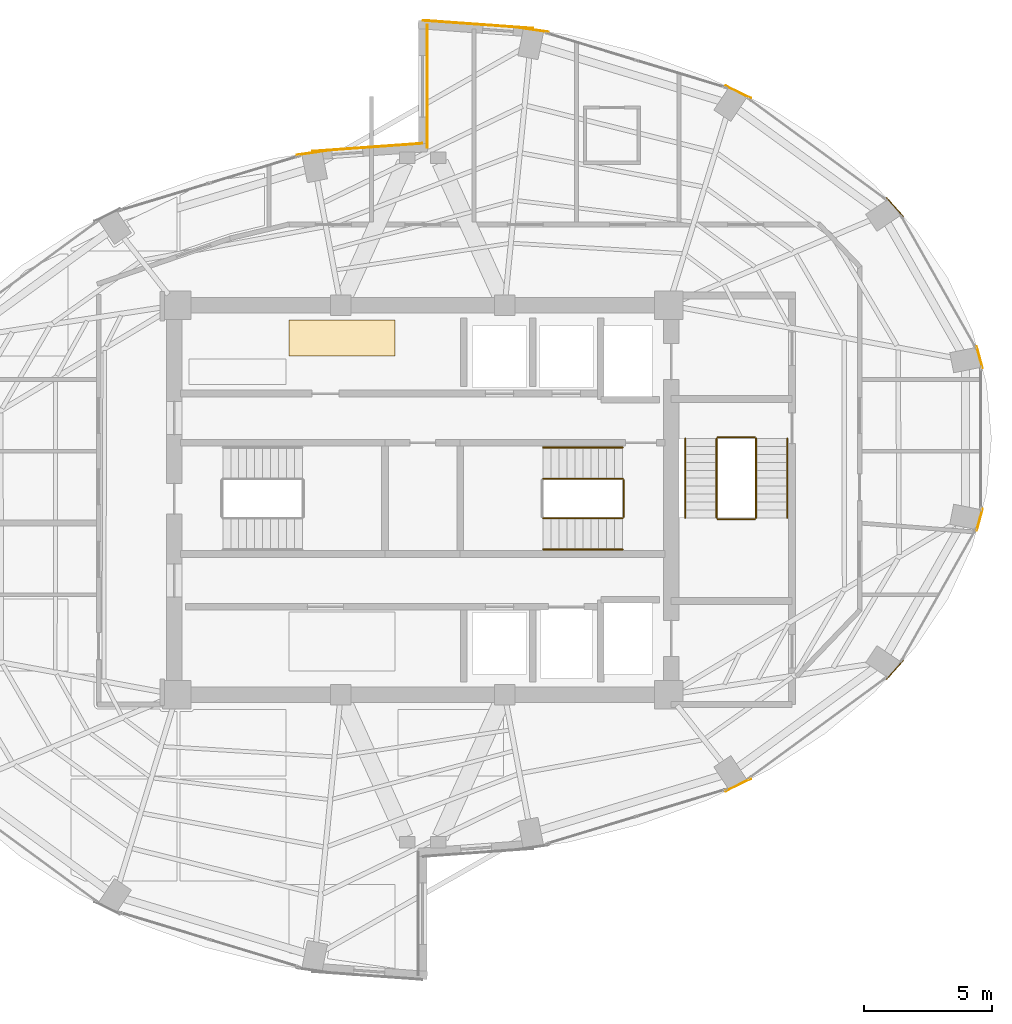
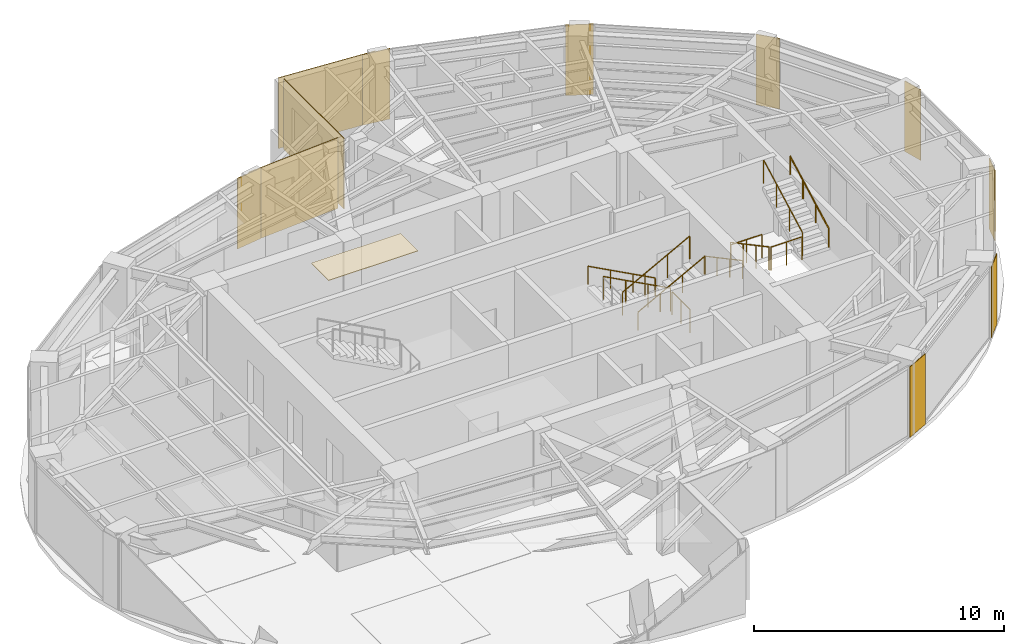
# One storey, part 23 of 23: 12 coverings, 11 railings.
"""IFC4 building model written with IfcOpenShell, lengths in metres."""

from ifc_helpers import new_model, si_unit, direction, frame, origin, origin_2d, place, context, subcontext, project, spatial, polyline, rectangle, circle, outline, extrude, material, layer, layer_set, type_object, element, save


model = new_model("IFC4")

# Units and contexts
model_context = context("Model", 3, precision=1e-05, world=origin(), true_north=direction((0.0, 1.0)))
body_context = subcontext(model_context, "Body", "Model", "MODEL_VIEW")
ifc_project = project(units=[si_unit("LENGTHUNIT", "METRE"), si_unit("AREAUNIT", "SQUARE_METRE"), si_unit("VOLUMEUNIT", "CUBIC_METRE"), si_unit("PLANEANGLEUNIT", "RADIAN"), si_unit("MASSUNIT", "GRAM", prefix="KILO")], contexts=[model_context])

# Site, building, storey
site_placement = place(None, origin())
site = spatial("IfcSite", under=ifc_project, at=site_placement, CompositionType="ELEMENT")
building_placement = place(site_placement, origin())
building = spatial("IfcBuilding", under=site, at=building_placement, Name="Lazwardi Medical Tower", CompositionType="ELEMENT")
storey_placement = place(building_placement, frame((0.0, 0.0, 198.47998046875)))
storey = spatial("IfcBuildingStorey", under=building, at=storey_placement, Name="L51", CompositionType="ELEMENT", Elevation=198.47998046875)

# Coverings
ifc_material_1 = material(Name="Anodised bronze aluminium cassette cladding", Category="aluminium")
ifc_layer_1 = layer(ifc_material_1, 0.030029296875)
ifc_layer_set_1 = layer_set([ifc_layer_1], Name="Anodised bronze aluminium cassette cladding")
covering_type_1 = type_object("IfcCoveringType", Name="COV-CLD-BRZ", PredefinedType="CLADDING", material=ifc_layer_set_1)
covering_1_placement = place(storey_placement, frame((48.311279296875, 16.878662109375, 0.0), z_axis=(0.0, 0.0, 1.0), x_axis=(0.897840141691, 0.440321564278, 0.0)))
element("IfcCovering", 1, at=covering_1_placement, inside=storey, type_object=covering_type_1, Name="L51 Mega-column bronze cassette cover M02", PredefinedType="CLADDING", context=body_context, shape_type="SweptSolid", body=[
    extrude(rectangle(XDim=1.110595703125, YDim=0.030029296875, at=origin_2d()), origin(), (0.0, 0.0, 1.0), 3.447998046875),
])
covering_2_placement = place(storey_placement, frame((54.42529296875, 21.365234375, 0.0), z_axis=(0.0, 0.0, 1.0), x_axis=(0.673240970654, 0.739423150458, 0.0)))
element("IfcCovering", 2, at=covering_2_placement, inside=storey, type_object=covering_type_1, Name="L51 Mega-column bronze cassette cover M03", PredefinedType="CLADDING", context=body_context, shape_type="SweptSolid", body=[
    extrude(rectangle(XDim=0.98974609375, YDim=0.030029296875, at=origin_2d()), origin(), (0.0, 0.0, 1.0), 3.447998046875),
])
for number, where, z_axis, x_axis, name in (
    (3, (57.734130859375, 27.227294921875, 0.0), (0.0, 0.0, 1.0), (0.261641748247, 0.96516506131, 0.0), "L51 Mega-column bronze cassette cover M04"),
    (4, (57.734130859375, 33.572509765625, 0.0), (0.0, 0.0, 1.0), (-0.261641748247, 0.96516506131, 0.0), "L51 Mega-column bronze cassette cover M05"),
):
    element("IfcCovering", number, at=place(storey_placement, frame(where, z_axis=z_axis, x_axis=x_axis)), inside=storey, type_object=covering_type_1, Name=name, PredefinedType="CLADDING", context=body_context, shape_type="SweptSolid", body=[
        extrude(rectangle(XDim=0.894287109375, YDim=0.030029296875, at=origin_2d()), origin(), (0.0, 0.0, 1.0), 3.447998046875),
    ])
covering_3_placement = place(storey_placement, frame((54.42529296875, 39.434814453125, 0.0), z_axis=(0.0, 0.0, 1.0), x_axis=(-0.673240970654, 0.739423150458, 0.0)))
element("IfcCovering", 5, at=covering_3_placement, inside=storey, type_object=covering_type_1, Name="L51 Mega-column bronze cassette cover M06", PredefinedType="CLADDING", context=body_context, shape_type="SweptSolid", body=[
    extrude(rectangle(XDim=0.98974609375, YDim=0.030029296875, at=origin_2d()), origin(), (0.0, 0.0, 1.0), 3.447998046875),
])
covering_4_placement = place(storey_placement, frame((48.311279296875, 43.92138671875, 0.0), z_axis=(0.0, 0.0, 1.0), x_axis=(-0.897840141691, 0.440321564278, 0.0)))
element("IfcCovering", 6, at=covering_4_placement, inside=storey, type_object=covering_type_1, Name="L51 Mega-column bronze cassette cover M07", PredefinedType="CLADDING", context=body_context, shape_type="SweptSolid", body=[
    extrude(rectangle(XDim=1.110595703125, YDim=0.030029296875, at=origin_2d()), origin(), (0.0, 0.0, 1.0), 3.447998046875),
])
for number, where, z_axis, x_axis, name in (
    (7, (40.3232421875, 46.349609375, 0.0), (0.0, 0.0, 1.0), (-0.989512431533, 0.144447733943, 0.0), "L51 Mega-column bronze cassette cover M08"),
    (8, (31.6767578125, 41.549560546875, 0.0), (0.0, 0.0, 1.0), (-0.989512431533, -0.144447733943, 0.0), "L51 Mega-column bronze cassette cover M09"),
):
    element("IfcCovering", number, at=place(storey_placement, frame(where, z_axis=z_axis, x_axis=x_axis)), inside=storey, type_object=covering_type_1, Name=name, PredefinedType="CLADDING", context=body_context, shape_type="SweptSolid", body=[
        extrude(rectangle(XDim=1.188720703125, YDim=0.030029296875, at=origin_2d()), origin(), (0.0, 0.0, 1.0), 3.447998046875),
    ])
ifc_material_2 = material(Name="Turquoise glazed ceramic tilework cladding", Category="masonry")
ifc_layer_2 = layer(ifc_material_2, 0.034912109375)
ifc_layer_set_2 = layer_set([ifc_layer_2], Name="Turquoise glazed ceramic tilework cladding")
covering_type_2 = type_object("IfcCoveringType", Name="COV-CLD-TRQ", PredefinedType="CLADDING", material=ifc_layer_set_2)
covering_5_placement = place(storey_placement, frame((38.16259765625, 46.56005859375, 0.0), z_axis=(0.0, 0.0, 1.0), x_axis=(-0.997409491337, 0.071932653157, 0.0)))
element("IfcCovering", 9, at=covering_5_placement, inside=storey, type_object=covering_type_2, Name="L51 Turquoise glazed ceramic tilework cladding", PredefinedType="CLADDING", context=body_context, shape_type="SweptSolid", body=[
    extrude(rectangle(XDim=4.31103515625, YDim=0.034912109375, at=origin_2d()), origin(), (0.0, 0.0, 1.0), 3.447998046875),
])
covering_6_placement = place(storey_placement, frame((33.83740234375, 41.760009765625, 0.0), z_axis=(0.0, 0.0, 1.0), x_axis=(-0.997408989128, -0.071939616387, 0.0)))
element("IfcCovering", 10, at=covering_6_placement, inside=storey, type_object=covering_type_2, Name="L51 Turquoise glazed ceramic tilework cladding", PredefinedType="CLADDING", context=body_context, shape_type="SweptSolid", body=[
    extrude(rectangle(XDim=4.310546875, YDim=0.034912109375, at=origin_2d()), origin(), (0.0, 0.0, 1.0), 3.447998046875),
])
covering_7_placement = place(storey_placement, frame((36.175537109375, 44.139892578125, 0.0), z_axis=(0.0, 0.0, 1.0), x_axis=(0.0, -1.0, 0.0)))
element("IfcCovering", 11, at=covering_7_placement, inside=storey, type_object=covering_type_2, Name="L51 Turquoise glazed ceramic tilework iwan panel", PredefinedType="CLADDING", context=body_context, shape_type="SweptSolid", body=[
    extrude(rectangle(XDim=4.800048828125, YDim=0.034912109375, at=origin_2d()), origin(), (0.0, 0.0, 1.0), 3.447998046875),
])
ifc_material_3 = material(Name="Acoustic mineral fibre tile")
ifc_layer_3 = layer(ifc_material_3, 0.02490234375)
ifc_layer_set_3 = layer_set([ifc_layer_3], Name="Acoustic mineral fibre tile")
covering_type_3 = type_object("IfcCoveringType", Name="COV-CLG-01", PredefinedType="CEILING", material=ifc_layer_set_3)
covering_8_placement = place(storey_placement, frame((0.0, 0.0, 3.302978515625)))
element("IfcCovering", 12, at=covering_8_placement, inside=storey, type_object=covering_type_3, Name="L51 Clinical Acoustic Ceiling 9", PredefinedType="CEILING", context=body_context, shape_type="SweptSolid", body=[
    extrude(outline(polyline([(34.912841796875, 35.02001953125), (30.782958984375, 35.02001953125), (30.782958984375, 33.62255859375), (34.912841796875, 33.62255859375), (34.912841796875, 35.02001953125)])), origin(), (0.0, 0.0, 1.0), 0.025146484375),
])

# Railings
ifc_material_4 = material(Name="Stainless steel Grade 316", Category="steel")
railing_type_1 = type_object("IfcRailingType", Name="RLG-GRD-1150", PredefinedType="GUARDRAIL", material=ifc_material_4)
railing_1_placement = place(storey_placement, frame((43.800048828125, 28.830078125, 0.165771484375)))
element("IfcRailing", 13, at=railing_1_placement, inside=storey, type_object=railing_type_1, Name="L51 ST2 stair guard 1", PredefinedType="GUARDRAIL", context=body_context, shape_type="SweptSolid", body=[
    extrude(circle(Radius=0.02392578125, at=origin_2d()), frame((0.0, 0.0, 1.1259765625), z_axis=(-0.881783298633, 0.0, 0.471654761719), x_axis=(0.0, -1.0, 0.0)), (0.0, 0.0, 1.0), 3.515625),
    extrude(circle(Radius=0.02099609375, at=origin_2d()), origin(), (0.0, 0.0, 1.0), 1.099853515625),
    extrude(circle(Radius=0.02099609375, at=origin_2d()), frame((-1.033447265625, 0.0, 0.552734375)), (0.0, 0.0, 1.0), 1.099853515625),
    extrude(circle(Radius=0.02099609375, at=origin_2d()), frame((-2.066650390625, 0.0, 1.10546875)), (0.0, 0.0, 1.0), 1.099853515625),
    extrude(circle(Radius=0.02099609375, at=origin_2d()), frame((-3.10009765625, 0.0, 1.658203125)), (0.0, 0.0, 1.0), 1.099853515625),
])
railing_2_placement = place(storey_placement, frame((40.699951171875, 27.2900390625, 1.98974609375)))
element("IfcRailing", 14, at=railing_2_placement, inside=storey, type_object=railing_type_1, Name="L51 ST2 stair guard 3", PredefinedType="GUARDRAIL", context=body_context, shape_type="SweptSolid", body=[
    extrude(circle(Radius=0.02392578125, at=origin_2d()), frame((0.0, 0.0, 1.1259765625), z_axis=(0.881783298633, 0.0, 0.471654761719), x_axis=(0.0, 1.0, 0.0)), (0.0, 0.0, 1.0), 3.515625),
    extrude(circle(Radius=0.02099609375, at=origin_2d()), origin(), (0.0, 0.0, 1.0), 1.099853515625),
    extrude(circle(Radius=0.02099609375, at=origin_2d()), frame((1.033447265625, 0.0, 0.552734375)), (0.0, 0.0, 1.0), 1.099853515625),
    extrude(circle(Radius=0.02099609375, at=origin_2d()), frame((2.066650390625, 0.0, 1.10546875)), (0.0, 0.0, 1.0), 1.099853515625),
    extrude(circle(Radius=0.02099609375, at=origin_2d()), frame((3.10009765625, 0.0, 1.658203125)), (0.0, 0.0, 1.0), 1.099853515625),
])
railing_3_placement = place(storey_placement, frame((43.85009765625, 28.780029296875, 0.0)))
element("IfcRailing", 15, at=railing_3_placement, inside=storey, type_object=railing_type_1, Name="L51 ST2 stair guard 4", PredefinedType="GUARDRAIL", context=body_context, shape_type="SweptSolid", body=[
    extrude(circle(Radius=0.02392578125, at=origin_2d()), frame((0.0, 0.0, 1.1259765625), z_axis=(0.0, -1.0, 0.0), x_axis=(1.0, 0.0, 0.0)), (0.0, 0.0, 1.0), 1.43994140625),
    extrude(circle(Radius=0.02099609375, at=origin_2d()), origin(), (0.0, 0.0, 1.0), 1.099853515625),
    extrude(circle(Radius=0.02099609375, at=origin_2d()), frame((0.0, -0.719970703125, 0.0)), (0.0, 0.0, 1.0), 1.099853515625),
    extrude(circle(Radius=0.02099609375, at=origin_2d()), frame((0.0, -1.43994140625, 0.0)), (0.0, 0.0, 1.0), 1.099853515625),
])
railing_4_placement = place(storey_placement, frame((47.469970703125, 30.39990234375, 0.165771484375)))
element("IfcRailing", 16, at=railing_4_placement, inside=storey, type_object=railing_type_1, Name="L51 ST3 stair guard 1", PredefinedType="GUARDRAIL", context=body_context, shape_type="SweptSolid", body=[
    extrude(circle(Radius=0.02392578125, at=origin_2d()), frame((0.0, 0.0, 1.1259765625), z_axis=(0.0, -0.881767849116, 0.471683644262), x_axis=(1.0, 0.0, 0.0)), (0.0, 0.0, 1.0), 3.515380859375),
    extrude(circle(Radius=0.02099609375, at=origin_2d()), origin(), (0.0, 0.0, 1.0), 1.099853515625),
    extrude(circle(Radius=0.02099609375, at=origin_2d()), frame((0.0, -1.033203125, 0.552734375)), (0.0, 0.0, 1.0), 1.099853515625),
    extrude(circle(Radius=0.02099609375, at=origin_2d()), frame((0.0, -2.066650390625, 1.10546875)), (0.0, 0.0, 1.0), 1.099853515625),
    extrude(circle(Radius=0.02099609375, at=origin_2d()), frame((0.0, -3.099853515625, 1.658203125)), (0.0, 0.0, 1.0), 1.099853515625),
])
railing_5_placement = place(storey_placement, frame((47.52001953125, 27.25, 1.823974609375)))
element("IfcRailing", 17, at=railing_5_placement, inside=storey, type_object=railing_type_1, Name="L51 ST3 stair guard 2", PredefinedType="GUARDRAIL", context=body_context, shape_type="SweptSolid", body=[
    extrude(circle(Radius=0.02392578125, at=origin_2d()), frame((0.0, 0.0, 1.1259765625), z_axis=(1.0, 0.0, 0.0), x_axis=(0.0, 1.0, 0.0)), (0.0, 0.0, 1.0), 1.43994140625),
    extrude(circle(Radius=0.02099609375, at=origin_2d()), origin(), (0.0, 0.0, 1.0), 1.099853515625),
    extrude(circle(Radius=0.02099609375, at=origin_2d()), frame((0.719970703125, 0.0, 0.0)), (0.0, 0.0, 1.0), 1.099853515625),
    extrude(circle(Radius=0.02099609375, at=origin_2d()), frame((1.43994140625, 0.0, 0.0)), (0.0, 0.0, 1.0), 1.099853515625),
])
railing_6_placement = place(storey_placement, frame((49.010009765625, 27.300048828125, 1.98974609375)))
element("IfcRailing", 18, at=railing_6_placement, inside=storey, type_object=railing_type_1, Name="L51 ST3 stair guard 3", PredefinedType="GUARDRAIL", context=body_context, shape_type="SweptSolid", body=[
    extrude(circle(Radius=0.02392578125, at=origin_2d()), frame((0.0, 0.0, 1.1259765625), z_axis=(0.0, 0.881767849116, 0.471683644262), x_axis=(-1.0, 0.0, 0.0)), (0.0, 0.0, 1.0), 3.515380859375),
    extrude(circle(Radius=0.02099609375, at=origin_2d()), origin(), (0.0, 0.0, 1.0), 1.099853515625),
    extrude(circle(Radius=0.02099609375, at=origin_2d()), frame((0.0, 1.033203125, 0.552734375)), (0.0, 0.0, 1.0), 1.099853515625),
    extrude(circle(Radius=0.02099609375, at=origin_2d()), frame((0.0, 2.066650390625, 1.10546875)), (0.0, 0.0, 1.0), 1.099853515625),
    extrude(circle(Radius=0.02099609375, at=origin_2d()), frame((0.0, 3.099853515625, 1.658203125)), (0.0, 0.0, 1.0), 1.099853515625),
])
railing_7_placement = place(storey_placement, frame((47.52001953125, 30.449951171875, 0.0)))
element("IfcRailing", 19, at=railing_7_placement, inside=storey, type_object=railing_type_1, Name="L51 ST3 stair guard 4", PredefinedType="GUARDRAIL", context=body_context, shape_type="SweptSolid", body=[
    extrude(circle(Radius=0.02392578125, at=origin_2d()), frame((0.0, 0.0, 1.1259765625), z_axis=(1.0, 0.0, 0.0), x_axis=(0.0, 1.0, 0.0)), (0.0, 0.0, 1.0), 1.43994140625),
    extrude(circle(Radius=0.02099609375, at=origin_2d()), origin(), (0.0, 0.0, 1.0), 1.099853515625),
    extrude(circle(Radius=0.02099609375, at=origin_2d()), frame((0.719970703125, 0.0, 0.0)), (0.0, 0.0, 1.0), 1.099853515625),
    extrude(circle(Radius=0.02099609375, at=origin_2d()), frame((1.43994140625, 0.0, 0.0)), (0.0, 0.0, 1.0), 1.099853515625),
])
railing_type_2 = type_object("IfcRailingType", Name="RLG-HND-920", PredefinedType="HANDRAIL", material=ifc_material_4)
railing_8_placement = place(storey_placement, frame((43.800048828125, 30.050048828125, 0.165771484375)))
element("IfcRailing", 20, at=railing_8_placement, inside=storey, type_object=railing_type_2, Name="L51 ST2 stair handrail 1", PredefinedType="HANDRAIL", context=body_context, shape_type="SweptSolid", body=[
    extrude(circle(Radius=0.02392578125, at=origin_2d()), frame((0.0, 0.0, 0.8857421875), z_axis=(-0.881783298633, 0.0, 0.471654761719), x_axis=(0.0, -1.0, 0.0)), (0.0, 0.0, 1.0), 3.515625),
    extrude(circle(Radius=0.02099609375, at=origin_2d()), origin(), (0.0, 0.0, 1.0), 0.85986328125),
    extrude(circle(Radius=0.02099609375, at=origin_2d()), frame((-1.033447265625, 0.0, 0.552734375)), (0.0, 0.0, 1.0), 0.85986328125),
    extrude(circle(Radius=0.02099609375, at=origin_2d()), frame((-2.066650390625, 0.0, 1.10546875)), (0.0, 0.0, 1.0), 0.85986328125),
    extrude(circle(Radius=0.02099609375, at=origin_2d()), frame((-3.10009765625, 0.0, 1.658203125)), (0.0, 0.0, 1.0), 0.85986328125),
])
railing_9_placement = place(storey_placement, frame((40.699951171875, 26.070068359375, 1.98974609375)))
element("IfcRailing", 21, at=railing_9_placement, inside=storey, type_object=railing_type_2, Name="L51 ST2 stair handrail 2", PredefinedType="HANDRAIL", context=body_context, shape_type="SweptSolid", body=[
    extrude(circle(Radius=0.02392578125, at=origin_2d()), frame((0.0, 0.0, 0.8857421875), z_axis=(0.881783298633, 0.0, 0.471654761719), x_axis=(0.0, 1.0, 0.0)), (0.0, 0.0, 1.0), 3.515625),
    extrude(circle(Radius=0.02099609375, at=origin_2d()), origin(), (0.0, 0.0, 1.0), 0.85986328125),
    extrude(circle(Radius=0.02099609375, at=origin_2d()), frame((1.033447265625, 0.0, 0.552734375)), (0.0, 0.0, 1.0), 0.85986328125),
    extrude(circle(Radius=0.02099609375, at=origin_2d()), frame((2.066650390625, 0.0, 1.10546875)), (0.0, 0.0, 1.0), 0.85986328125),
    extrude(circle(Radius=0.02099609375, at=origin_2d()), frame((3.10009765625, 0.0, 1.658203125)), (0.0, 0.0, 1.0), 0.85986328125),
])
railing_10_placement = place(storey_placement, frame((46.25, 30.39990234375, 0.165771484375)))
element("IfcRailing", 22, at=railing_10_placement, inside=storey, type_object=railing_type_2, Name="L51 ST3 stair handrail 1", PredefinedType="HANDRAIL", context=body_context, shape_type="SweptSolid", body=[
    extrude(circle(Radius=0.02392578125, at=origin_2d()), frame((0.0, 0.0, 0.8857421875), z_axis=(0.0, -0.881767849116, 0.471683644262), x_axis=(1.0, 0.0, 0.0)), (0.0, 0.0, 1.0), 3.515380859375),
    extrude(circle(Radius=0.02099609375, at=origin_2d()), origin(), (0.0, 0.0, 1.0), 0.85986328125),
    extrude(circle(Radius=0.02099609375, at=origin_2d()), frame((0.0, -1.033203125, 0.552734375)), (0.0, 0.0, 1.0), 0.85986328125),
    extrude(circle(Radius=0.02099609375, at=origin_2d()), frame((0.0, -2.066650390625, 1.10546875)), (0.0, 0.0, 1.0), 0.85986328125),
    extrude(circle(Radius=0.02099609375, at=origin_2d()), frame((0.0, -3.099853515625, 1.658203125)), (0.0, 0.0, 1.0), 0.85986328125),
])
railing_11_placement = place(storey_placement, frame((50.22998046875, 27.300048828125, 1.98974609375)))
element("IfcRailing", 23, at=railing_11_placement, inside=storey, type_object=railing_type_2, Name="L51 ST3 stair handrail 2", PredefinedType="HANDRAIL", context=body_context, shape_type="SweptSolid", body=[
    extrude(circle(Radius=0.02392578125, at=origin_2d()), frame((0.0, 0.0, 0.8857421875), z_axis=(0.0, 0.881767849116, 0.471683644262), x_axis=(-1.0, 0.0, 0.0)), (0.0, 0.0, 1.0), 3.515380859375),
    extrude(circle(Radius=0.02099609375, at=origin_2d()), origin(), (0.0, 0.0, 1.0), 0.85986328125),
    extrude(circle(Radius=0.02099609375, at=origin_2d()), frame((0.0, 1.033203125, 0.552734375)), (0.0, 0.0, 1.0), 0.85986328125),
    extrude(circle(Radius=0.02099609375, at=origin_2d()), frame((0.0, 2.066650390625, 1.10546875)), (0.0, 0.0, 1.0), 0.85986328125),
    extrude(circle(Radius=0.02099609375, at=origin_2d()), frame((0.0, 3.099853515625, 1.658203125)), (0.0, 0.0, 1.0), 0.85986328125),
])

save(model, "model.ifc")
